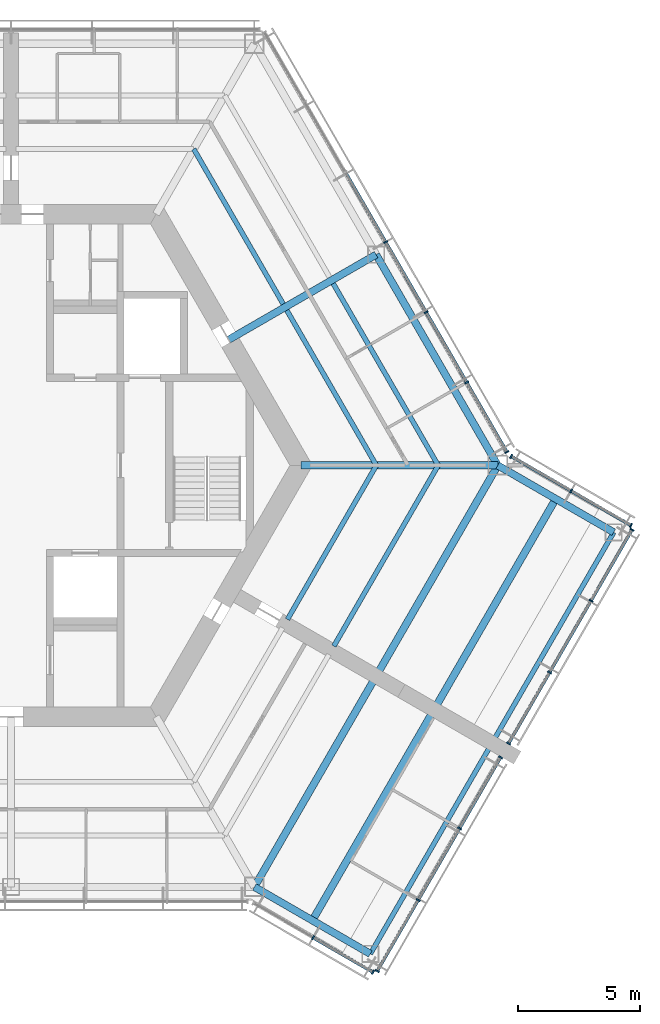
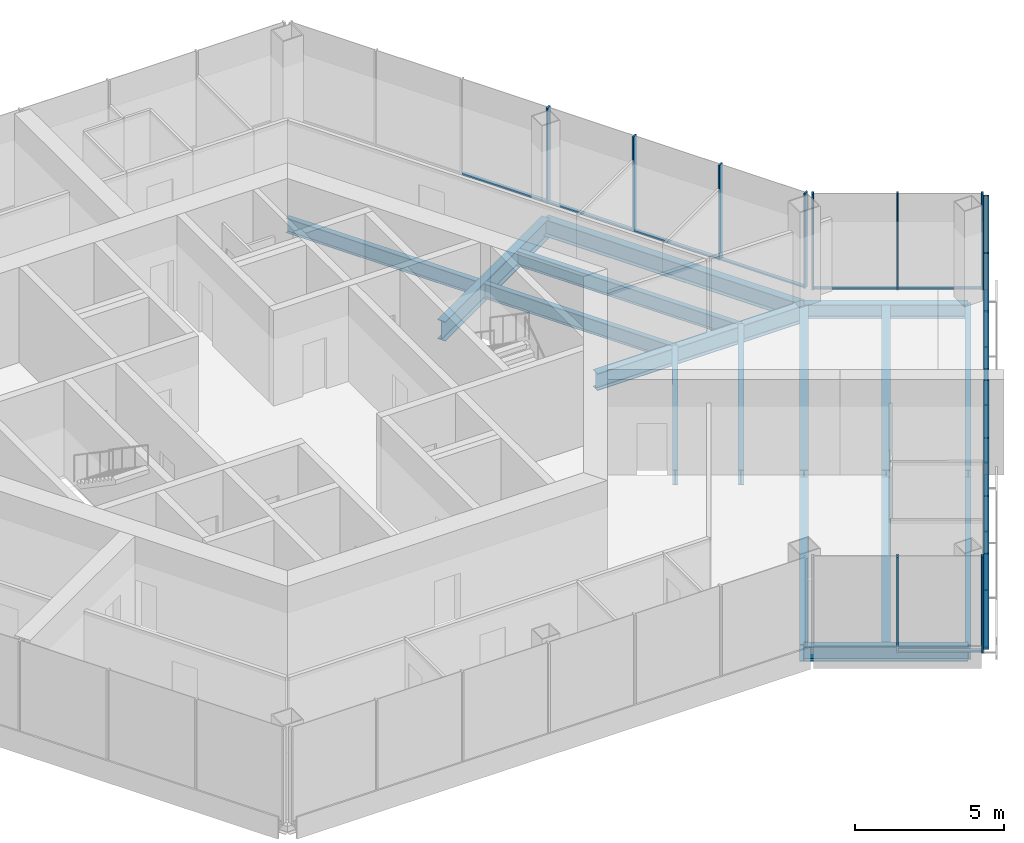
# One storey, part 4 of 13: 30 members, 16 beams, 5 elements without a shape of their own.
"""IFC4 building model written with IfcOpenShell, lengths in metres."""

from ifc_helpers import new_model, si_unit, direction, frame, origin, origin_2d, place, context, subcontext, project, spatial, rectangle, i_section, extrude, material, material_profile, profile_set, type_object, element, aggregate, save


model = new_model("IFC4")

# Units and contexts
model_context = context("Model", 3, precision=1e-05, world=origin(), true_north=direction((0.0, 1.0)))
body_context = subcontext(model_context, "Body", "Model", "MODEL_VIEW")
ifc_project = project(units=[si_unit("LENGTHUNIT", "METRE"), si_unit("AREAUNIT", "SQUARE_METRE"), si_unit("VOLUMEUNIT", "CUBIC_METRE"), si_unit("PLANEANGLEUNIT", "RADIAN"), si_unit("MASSUNIT", "GRAM", prefix="KILO")], contexts=[model_context])

# Site, building, storey
site_placement = place(None, origin())
site = spatial("IfcSite", under=ifc_project, at=site_placement, CompositionType="ELEMENT")
building_placement = place(site_placement, origin())
building = spatial("IfcBuilding", under=site, at=building_placement, Name="Kasaneha Research Tower", CompositionType="ELEMENT")
storey_placement = place(building_placement, frame((0.0, 0.0, 283.0)))
storey = spatial("IfcBuildingStorey", under=building, at=storey_placement, Name="L71", CompositionType="ELEMENT", Elevation=283.0)

# Beams
ifc_material_1 = material(Name="Steel SN490B", Category="steel")
ifc_material_profile_1 = material_profile(ifc_material_1, i_section(OverallWidth=0.199951171875, OverallDepth=0.60009765625, WebThickness=0.010986328125, FlangeThickness=0.01708984375, FilletRadius=0.012939453125, at=origin_2d()), Name="H-600x200x11x17")
ifc_profile_set_1 = profile_set([ifc_material_profile_1], Name="Steel SN490B")
beam_type_1 = type_object("IfcBeamType", Name="B1-3 secondary beam H-600x200x11x17", PredefinedType="JOIST", material=ifc_profile_set_1)
beam_1_placement = place(storey_placement, frame((15.010986328125, 0.0, -0.449951171875), z_axis=(-0.499994443168, 0.866028611999, 0.0), x_axis=(-0.866028611999, -0.499994443168, 0.0)))
element("IfcBeam", 1, at=beam_1_placement, inside=storey, type_object=beam_type_1, Name="Secondary beam RS030L1 L71", PredefinedType="JOIST", context=body_context, shape_type="SweptSolid", body=[
    extrude(i_section(OverallWidth=0.199951171875, OverallDepth=0.60009765625, WebThickness=0.010986328125, FlangeThickness=0.01708984375, FilletRadius=0.012939453125, at=origin_2d()), origin(), (0.0, 0.0, 1.0), 7.35546875),
])
beam_2_placement = place(storey_placement, frame((17.551513671875, 0.0, -0.449951171875), z_axis=(-0.5000050195, 0.866022505755, 0.0), x_axis=(-0.866022505755, -0.5000050195, 0.0)))
element("IfcBeam", 2, at=beam_2_placement, inside=storey, type_object=beam_type_1, Name="Secondary beam RS030L2 L71", PredefinedType="JOIST", context=body_context, shape_type="SweptSolid", body=[
    extrude(i_section(OverallWidth=0.199951171875, OverallDepth=0.60009765625, WebThickness=0.010986328125, FlangeThickness=0.01708984375, FilletRadius=0.012939453125, at=origin_2d()), origin(), (0.0, 0.0, 1.0), 8.6259765625),
])
beam_3_placement = place(storey_placement, frame((7.505615234375, 13.0, -0.449951171875), z_axis=(0.499994443168, -0.866028611999, 0.0), x_axis=(0.866028611999, 0.499994443168, 0.0)))
element("IfcBeam", 3, at=beam_3_placement, inside=storey, type_object=beam_type_1, Name="Secondary beam RS030R1 L71", PredefinedType="JOIST", context=body_context, shape_type="SweptSolid", body=[
    extrude(i_section(OverallWidth=0.199951171875, OverallDepth=0.60009765625, WebThickness=0.010986328125, FlangeThickness=0.01708984375, FilletRadius=0.012939453125, at=origin_2d()), origin(), (0.0, 0.0, 1.0), 7.35546875),
])
beam_4_placement = place(storey_placement, frame((15.010986328125, 0.0, -0.449951171875), z_axis=(-0.499974128195, -0.866040340363, 0.0), x_axis=(0.866040340363, -0.499974128195, 0.0)))
element("IfcBeam", 4, at=beam_4_placement, inside=storey, type_object=beam_type_1, Name="Secondary beam RS330R1 L71", PredefinedType="JOIST", context=body_context, shape_type="SweptSolid", body=[
    extrude(i_section(OverallWidth=0.199951171875, OverallDepth=0.60009765625, WebThickness=0.010986328125, FlangeThickness=0.01708984375, FilletRadius=0.012939453125, at=origin_2d()), origin(), (0.0, 0.0, 1.0), 7.3056640625),
])
beam_5_placement = place(storey_placement, frame((17.551513671875, 0.0, -0.449951171875), z_axis=(-0.500000102728, -0.866025344474, 0.0), x_axis=(0.866025344474, -0.500000102728, 0.0)))
element("IfcBeam", 5, at=beam_5_placement, inside=storey, type_object=beam_type_1, Name="Secondary beam RS330R2 L71", PredefinedType="JOIST", context=body_context, shape_type="SweptSolid", body=[
    extrude(i_section(OverallWidth=0.199951171875, OverallDepth=0.60009765625, WebThickness=0.010986328125, FlangeThickness=0.01708984375, FilletRadius=0.012939453125, at=origin_2d()), origin(), (0.0, 0.0, 1.0), 8.57568359375),
])
ifc_material_2 = material(Name="Steel SN490B", Category="steel")
ifc_material_profile_2 = material_profile(ifc_material_2, i_section(OverallWidth=0.300048828125, OverallDepth=0.58203125, WebThickness=0.011962890625, FlangeThickness=0.01708984375, FilletRadius=0.012939453125, at=origin_2d()), Name="H-582x300x12x17")
ifc_profile_set_2 = profile_set([ifc_material_profile_2], Name="Steel SN490B")
beam_type_2 = type_object("IfcBeamType", Name="B2-3 secondary beam H-582x300x12x17", PredefinedType="JOIST", material=ifc_profile_set_2)
for number, where, z_axis, x_axis, name in (
    (6, (12.381591796875, -18.695556640625, -0.44091796875), (0.49999201416, 0.866030014362, 0.0), (-0.866030014362, 0.49999201416, 0.0), "Secondary beam WBCP1 L71"),
    (7, (22.381591796875, -1.375, -0.44091796875), (-0.49999201416, -0.866030014362, 0.0), (0.866030014362, -0.49999201416, 0.0), "Secondary beam WBCN1 L71"),
):
    element("IfcBeam", number, at=place(storey_placement, frame(where, z_axis=z_axis, x_axis=x_axis)), inside=storey, type_object=beam_type_2, Name=name, PredefinedType="JOIST", context=body_context, shape_type="SweptSolid", body=[
        extrude(i_section(OverallWidth=0.300048828125, OverallDepth=0.58203125, WebThickness=0.011962890625, FlangeThickness=0.01708984375, FilletRadius=0.012939453125, at=origin_2d()), origin(), (0.0, 0.0, 1.0), 9.800048828125),
    ])

# Curtain wall, members
ifc_material_3 = material(Name="Glass and aluminium", Category="aluminium")
curtain_wall_type = type_object("IfcCurtainWallType", Name="Crown curtain wall", PredefinedType="USERDEFINED", material=ifc_material_3)
curtain_wall_1_placement = place(storey_placement, origin())
curtain_wall_1 = element("IfcCurtainWall", 8, at=curtain_wall_1_placement, inside=storey, type_object=curtain_wall_type, Name="CW-C L71 run 01a", ObjectType="UNITISED CURTAIN WALL", PredefinedType="USERDEFINED")
ifc_material_4 = material(Name="Aluminium 6063-T6", Category="aluminium")
ifc_material_profile_3 = material_profile(ifc_material_4, rectangle(XDim=0.06005859375, YDim=0.179931640625, at=origin_2d()), Name="CW-C mullion 60x180")
ifc_profile_set_3 = profile_set([ifc_material_profile_3], Name="Aluminium 6063-T6")
member_type_1 = type_object("IfcMemberType", Name="CW-C mullion", PredefinedType="MULLION", material=ifc_profile_set_3)
member_1_placement = place(storey_placement, frame((20.374267578125, 0.5517578125, 0.0), z_axis=(0.0, 0.0, 1.0), x_axis=(-0.499999979232, 0.866025415775, 0.0)))
member_1 = element("IfcMember", 9, at=member_1_placement, type_object=member_type_1, Name="CW-C mullion 1", PredefinedType="MULLION", context=body_context, shape_type="SweptSolid", body=[
    extrude(rectangle(XDim=0.06005859375, YDim=0.179931640625, at=origin_2d()), origin(), (0.0, 0.0, 1.0), 3.89990234375),
])
member_2_placement = place(storey_placement, frame((18.723876953125, 3.410400390625, 0.0), z_axis=(0.0, 0.0, 1.0), x_axis=(-0.499999979232, 0.866025415775, 0.0)))
member_2 = element("IfcMember", 10, at=member_2_placement, type_object=member_type_1, Name="CW-C mullion 2", PredefinedType="MULLION", context=body_context, shape_type="SweptSolid", body=[
    extrude(rectangle(XDim=0.06005859375, YDim=0.179931640625, at=origin_2d()), origin(), (0.0, 0.0, 1.0), 3.89990234375),
])
member_3_placement = place(storey_placement, frame((17.058349609375, 6.295166015625, 0.0), z_axis=(0.0, 0.0, 1.0), x_axis=(-0.499999979232, 0.866025415775, 0.0)))
member_3 = element("IfcMember", 11, at=member_3_placement, type_object=member_type_1, Name="CW-C mullion 3", PredefinedType="MULLION", context=body_context, shape_type="SweptSolid", body=[
    extrude(rectangle(XDim=0.06005859375, YDim=0.179931640625, at=origin_2d()), origin(), (0.0, 0.0, 1.0), 3.89990234375),
])
member_4_placement = place(storey_placement, frame((15.392822265625, 9.179931640625, 0.0), z_axis=(0.0, 0.0, 1.0), x_axis=(-0.499999979232, 0.866025415775, 0.0)))
member_4 = element("IfcMember", 12, at=member_4_placement, type_object=member_type_1, Name="CW-C mullion 4", PredefinedType="MULLION", context=body_context, shape_type="SweptSolid", body=[
    extrude(rectangle(XDim=0.06005859375, YDim=0.179931640625, at=origin_2d()), origin(), (0.0, 0.0, 1.0), 3.89990234375),
])

curtain_wall_2_placement = place(storey_placement, origin())
curtain_wall_2 = element("IfcCurtainWall", 13, at=curtain_wall_2_placement, inside=storey, type_object=curtain_wall_type, Name="CW-C L71 run 06a", ObjectType="UNITISED CURTAIN WALL", PredefinedType="USERDEFINED")
member_5_placement = place(storey_placement, frame((12.410888671875, -19.4052734375, 0.0), z_axis=(0.0, 0.0, 1.0), x_axis=(0.866025443395, -0.499999931393, 0.0)))
member_5 = element("IfcMember", 14, at=member_5_placement, type_object=member_type_1, Name="CW-C mullion 2", PredefinedType="MULLION", context=body_context, shape_type="SweptSolid", body=[
    extrude(rectangle(XDim=0.06005859375, YDim=0.179931640625, at=origin_2d()), origin(), (0.0, 0.0, 1.0), 3.89990234375),
])
member_6_placement = place(storey_placement, frame((14.8701171875, -20.8251953125, 0.0), z_axis=(0.0, 0.0, 1.0), x_axis=(0.866025443395, -0.499999931393, 0.0)))
member_6 = element("IfcMember", 15, at=member_6_placement, type_object=member_type_1, Name="CW-C mullion 3", PredefinedType="MULLION", context=body_context, shape_type="SweptSolid", body=[
    extrude(rectangle(XDim=0.06005859375, YDim=0.179931640625, at=origin_2d()), origin(), (0.0, 0.0, 1.0), 3.89990234375),
])

curtain_wall_3_placement = place(storey_placement, origin())
curtain_wall_3 = element("IfcCurtainWall", 16, at=curtain_wall_3_placement, inside=storey, type_object=curtain_wall_type, Name="CW-C L71 run 07a", ObjectType="UNITISED CURTAIN WALL", PredefinedType="USERDEFINED")
member_7_placement = place(storey_placement, frame((15.0478515625, -20.777587890625, 0.0), z_axis=(0.0, 0.0, 1.0), x_axis=(0.500000011442, 0.866025397178, 0.0)))
member_7 = element("IfcMember", 17, at=member_7_placement, type_object=member_type_1, Name="CW-C mullion 1", PredefinedType="MULLION", context=body_context, shape_type="SweptSolid", body=[
    extrude(rectangle(XDim=0.06005859375, YDim=0.179931640625, at=origin_2d()), origin(), (0.0, 0.0, 1.0), 3.89990234375),
])
member_8_placement = place(storey_placement, frame((16.732666015625, -17.859130859375, 0.0), z_axis=(0.0, 0.0, 1.0), x_axis=(0.500000011442, 0.866025397178, 0.0)))
member_8 = element("IfcMember", 18, at=member_8_placement, type_object=member_type_1, Name="CW-C mullion 2", PredefinedType="MULLION", context=body_context, shape_type="SweptSolid", body=[
    extrude(rectangle(XDim=0.06005859375, YDim=0.179931640625, at=origin_2d()), origin(), (0.0, 0.0, 1.0), 3.89990234375),
])
member_9_placement = place(storey_placement, frame((18.432861328125, -14.91455078125, 0.0), z_axis=(0.0, 0.0, 1.0), x_axis=(0.500000011442, 0.866025397178, 0.0)))
member_9 = element("IfcMember", 19, at=member_9_placement, type_object=member_type_1, Name="CW-C mullion 3", PredefinedType="MULLION", context=body_context, shape_type="SweptSolid", body=[
    extrude(rectangle(XDim=0.06005859375, YDim=0.179931640625, at=origin_2d()), origin(), (0.0, 0.0, 1.0), 3.89990234375),
])
member_10_placement = place(storey_placement, frame((20.11767578125, -11.99609375, 0.0), z_axis=(0.0, 0.0, 1.0), x_axis=(0.500000011442, 0.866025397178, 0.0)))
member_10 = element("IfcMember", 20, at=member_10_placement, type_object=member_type_1, Name="CW-C mullion 4", PredefinedType="MULLION", context=body_context, shape_type="SweptSolid", body=[
    extrude(rectangle(XDim=0.06005859375, YDim=0.179931640625, at=origin_2d()), origin(), (0.0, 0.0, 1.0), 3.89990234375),
])

curtain_wall_4_placement = place(storey_placement, origin())
curtain_wall_4 = element("IfcCurtainWall", 21, at=curtain_wall_4_placement, inside=storey, type_object=curtain_wall_type, Name="CW-C L71 run 08a", ObjectType="UNITISED CURTAIN WALL", PredefinedType="USERDEFINED")
member_11_placement = place(storey_placement, frame((20.44775390625, -11.424560546875, 0.0), z_axis=(0.0, 0.0, 1.0), x_axis=(0.500000011442, 0.866025397178, 0.0)))
member_11 = element("IfcMember", 22, at=member_11_placement, type_object=member_type_1, Name="CW-C mullion 1", PredefinedType="MULLION", context=body_context, shape_type="SweptSolid", body=[
    extrude(rectangle(XDim=0.06005859375, YDim=0.179931640625, at=origin_2d()), origin(), (0.0, 0.0, 1.0), 3.89990234375),
])
member_12_placement = place(storey_placement, frame((22.1328125, -8.505859375, 0.0), z_axis=(0.0, 0.0, 1.0), x_axis=(0.500000011442, 0.866025397178, 0.0)))
member_12 = element("IfcMember", 23, at=member_12_placement, type_object=member_type_1, Name="CW-C mullion 2", PredefinedType="MULLION", context=body_context, shape_type="SweptSolid", body=[
    extrude(rectangle(XDim=0.06005859375, YDim=0.179931640625, at=origin_2d()), origin(), (0.0, 0.0, 1.0), 3.89990234375),
])
member_13_placement = place(storey_placement, frame((23.832763671875, -5.5615234375, 0.0), z_axis=(0.0, 0.0, 1.0), x_axis=(0.500000011442, 0.866025397178, 0.0)))
member_13 = element("IfcMember", 24, at=member_13_placement, type_object=member_type_1, Name="CW-C mullion 3", PredefinedType="MULLION", context=body_context, shape_type="SweptSolid", body=[
    extrude(rectangle(XDim=0.06005859375, YDim=0.179931640625, at=origin_2d()), origin(), (0.0, 0.0, 1.0), 3.89990234375),
])
member_14_placement = place(storey_placement, frame((25.517822265625, -2.64306640625, 0.0), z_axis=(0.0, 0.0, 1.0), x_axis=(0.500000011442, 0.866025397178, 0.0)))
member_14 = element("IfcMember", 25, at=member_14_placement, type_object=member_type_1, Name="CW-C mullion 4", PredefinedType="MULLION", context=body_context, shape_type="SweptSolid", body=[
    extrude(rectangle(XDim=0.06005859375, YDim=0.179931640625, at=origin_2d()), origin(), (0.0, 0.0, 1.0), 3.89990234375),
])

curtain_wall_5_placement = place(storey_placement, origin())
curtain_wall_5 = element("IfcCurtainWall", 26, at=curtain_wall_5_placement, inside=storey, type_object=curtain_wall_type, Name="CW-C L71 run 09a", ObjectType="UNITISED CURTAIN WALL", PredefinedType="USERDEFINED")
member_15_placement = place(storey_placement, frame((25.47021484375, -2.46533203125, 0.0), z_axis=(0.0, 0.0, 1.0), x_axis=(-0.866025443395, 0.499999931393, 0.0)))
member_15 = element("IfcMember", 27, at=member_15_placement, type_object=member_type_1, Name="CW-C mullion 1", PredefinedType="MULLION", context=body_context, shape_type="SweptSolid", body=[
    extrude(rectangle(XDim=0.06005859375, YDim=0.179931640625, at=origin_2d()), origin(), (0.0, 0.0, 1.0), 3.89990234375),
])
member_16_placement = place(storey_placement, frame((23.010986328125, -1.045654296875, 0.0), z_axis=(0.0, 0.0, 1.0), x_axis=(-0.866025443395, 0.499999931393, 0.0)))
member_16 = element("IfcMember", 28, at=member_16_placement, type_object=member_type_1, Name="CW-C mullion 2", PredefinedType="MULLION", context=body_context, shape_type="SweptSolid", body=[
    extrude(rectangle(XDim=0.06005859375, YDim=0.179931640625, at=origin_2d()), origin(), (0.0, 0.0, 1.0), 3.89990234375),
])
member_17_placement = place(storey_placement, frame((20.5517578125, 0.374267578125, 0.0), z_axis=(0.0, 0.0, 1.0), x_axis=(-0.866025443395, 0.499999931393, 0.0)))
member_17 = element("IfcMember", 29, at=member_17_placement, type_object=member_type_1, Name="CW-C mullion 3", PredefinedType="MULLION", context=body_context, shape_type="SweptSolid", body=[
    extrude(rectangle(XDim=0.06005859375, YDim=0.179931640625, at=origin_2d()), origin(), (0.0, 0.0, 1.0), 3.89990234375),
])

# Member
ifc_material_5 = material(Name="Aluminium 6063-T6", Category="aluminium")
ifc_material_profile_4 = material_profile(ifc_material_5, rectangle(XDim=0.1298828125, YDim=0.06005859375, at=origin_2d()), Name="CW-C transom 130x60")
ifc_profile_set_4 = profile_set([ifc_material_profile_4], Name="Aluminium 6063-T6")
member_type_2 = type_object("IfcMemberType", Name="CW-C transom", PredefinedType="USERDEFINED", material=ifc_profile_set_4)
member_18_placement = place(storey_placement, frame((20.359130859375, 0.577880859375, 0.030029296875), z_axis=(-0.499987643696, 0.866032537582, 0.0), x_axis=(-0.866032537582, -0.499987643696, 0.0)))
member_18 = element("IfcMember", 30, at=member_18_placement, type_object=member_type_2, Name="CW-C transom 1", ObjectType="TRANSOM", PredefinedType="USERDEFINED", context=body_context, shape_type="SweptSolid", body=[
    extrude(rectangle(XDim=0.1298828125, YDim=0.06005859375, at=origin_2d()), origin(), (0.0, 0.0, 1.0), 3.24072265625),
])

member_19_placement = place(storey_placement, frame((18.708740234375, 3.4365234375, 0.030029296875), z_axis=(-0.500000270186, 0.866025247793, 0.0), x_axis=(-0.866025247793, -0.500000270186, 0.0)))
member_19 = element("IfcMember", 31, at=member_19_placement, type_object=member_type_2, Name="CW-C transom 2", ObjectType="TRANSOM", PredefinedType="USERDEFINED", context=body_context, shape_type="SweptSolid", body=[
    extrude(rectangle(XDim=0.1298828125, YDim=0.06005859375, at=origin_2d()), origin(), (0.0, 0.0, 1.0), 3.27099609375),
])

member_20_placement = place(storey_placement, frame((17.043212890625, 6.3212890625, 0.030029296875), z_axis=(-0.50003259116, 0.866006586452, 0.0), x_axis=(-0.866006586452, -0.50003259116, 0.0)))
member_20 = element("IfcMember", 32, at=member_20_placement, type_object=member_type_2, Name="CW-C transom 3", ObjectType="TRANSOM", PredefinedType="USERDEFINED", context=body_context, shape_type="SweptSolid", body=[
    extrude(rectangle(XDim=0.1298828125, YDim=0.06005859375, at=origin_2d()), origin(), (0.0, 0.0, 1.0), 3.270751953125),
])

member_21_placement = place(storey_placement, frame((15.3779296875, 9.205810546875, 0.030029296875), z_axis=(-0.500000270186, 0.866025247793, 0.0), x_axis=(-0.866025247793, -0.500000270186, 0.0)))
member_21 = element("IfcMember", 33, at=member_21_placement, type_object=member_type_2, Name="CW-C transom 4", ObjectType="TRANSOM", PredefinedType="USERDEFINED", context=body_context, shape_type="SweptSolid", body=[
    extrude(rectangle(XDim=0.1298828125, YDim=0.06005859375, at=origin_2d()), origin(), (0.0, 0.0, 1.0), 3.27099609375),
])

aggregate(curtain_wall_1, [member_1, member_2, member_3, member_4, member_18, member_19, member_20, member_21])

member_22_placement = place(storey_placement, frame((12.43701171875, -19.42041015625, 0.030029296875), z_axis=(0.866051024128, -0.499955621637, 0.0), x_axis=(0.499955621637, 0.866051024128, 0.0)))
member_22 = element("IfcMember", 34, at=member_22_placement, type_object=member_type_2, Name="CW-C transom 2", ObjectType="TRANSOM", PredefinedType="USERDEFINED", context=body_context, shape_type="SweptSolid", body=[
    extrude(rectangle(XDim=0.1298828125, YDim=0.06005859375, at=origin_2d()), origin(), (0.0, 0.0, 1.0), 2.779541015625),
])

aggregate(curtain_wall_2, [member_5, member_6, member_22])

member_23_placement = place(storey_placement, frame((15.062744140625, -20.75146484375, 0.030029296875), z_axis=(0.500018282537, 0.866014848099, 0.0), x_axis=(-0.866014848099, 0.500018282537, 0.0)))
member_23 = element("IfcMember", 35, at=member_23_placement, type_object=member_type_2, Name="CW-C transom 1", ObjectType="TRANSOM", PredefinedType="USERDEFINED", context=body_context, shape_type="SweptSolid", body=[
    extrude(rectangle(XDim=0.1298828125, YDim=0.06005859375, at=origin_2d()), origin(), (0.0, 0.0, 1.0), 3.31005859375),
])

member_24_placement = place(storey_placement, frame((16.747802734375, -17.8330078125, 0.030029296875), z_axis=(0.499975549825, 0.866039519639, 0.0), x_axis=(-0.866039519639, 0.499975549825, 0.0)))
member_24 = element("IfcMember", 36, at=member_24_placement, type_object=member_type_2, Name="CW-C transom 2", ObjectType="TRANSOM", PredefinedType="USERDEFINED", context=body_context, shape_type="SweptSolid", body=[
    extrude(rectangle(XDim=0.1298828125, YDim=0.06005859375, at=origin_2d()), origin(), (0.0, 0.0, 1.0), 3.340087890625),
])

member_25_placement = place(storey_placement, frame((18.44775390625, -14.888671875, 0.030029296875), z_axis=(0.49998634449, 0.866033287653, 0.0), x_axis=(-0.866033287653, 0.49998634449, 0.0)))
member_25 = element("IfcMember", 37, at=member_25_placement, type_object=member_type_2, Name="CW-C transom 3", ObjectType="TRANSOM", PredefinedType="USERDEFINED", context=body_context, shape_type="SweptSolid", body=[
    extrude(rectangle(XDim=0.1298828125, YDim=0.06005859375, at=origin_2d()), origin(), (0.0, 0.0, 1.0), 3.31005859375),
])

aggregate(curtain_wall_3, [member_7, member_8, member_9, member_10, member_23, member_24, member_25])

member_26_placement = place(storey_placement, frame((20.462646484375, -11.3984375, 0.030029296875), z_axis=(0.500018282537, 0.866014848099, 0.0), x_axis=(-0.866014848099, 0.500018282537, 0.0)))
member_26 = element("IfcMember", 38, at=member_26_placement, type_object=member_type_2, Name="CW-C transom 1", ObjectType="TRANSOM", PredefinedType="USERDEFINED", context=body_context, shape_type="SweptSolid", body=[
    extrude(rectangle(XDim=0.1298828125, YDim=0.06005859375, at=origin_2d()), origin(), (0.0, 0.0, 1.0), 3.31005859375),
])

member_27_placement = place(storey_placement, frame((22.147705078125, -8.47998046875, 0.030029296875), z_axis=(0.500030370488, 0.866007868665, 0.0), x_axis=(-0.866007868665, 0.500030370488, 0.0)))
member_27 = element("IfcMember", 39, at=member_27_placement, type_object=member_type_2, Name="CW-C transom 2", ObjectType="TRANSOM", PredefinedType="USERDEFINED", context=body_context, shape_type="SweptSolid", body=[
    extrude(rectangle(XDim=0.1298828125, YDim=0.06005859375, at=origin_2d()), origin(), (0.0, 0.0, 1.0), 3.340087890625),
])

member_28_placement = place(storey_placement, frame((23.84765625, -5.535400390625, 0.030029296875), z_axis=(0.500018282537, 0.866014848099, 0.0), x_axis=(-0.866014848099, 0.500018282537, 0.0)))
member_28 = element("IfcMember", 40, at=member_28_placement, type_object=member_type_2, Name="CW-C transom 3", ObjectType="TRANSOM", PredefinedType="USERDEFINED", context=body_context, shape_type="SweptSolid", body=[
    extrude(rectangle(XDim=0.1298828125, YDim=0.06005859375, at=origin_2d()), origin(), (0.0, 0.0, 1.0), 3.31005859375),
])

aggregate(curtain_wall_4, [member_11, member_12, member_13, member_14, member_26, member_27, member_28])

member_29_placement = place(storey_placement, frame((25.444091796875, -2.450439453125, 0.030029296875), z_axis=(-0.866012991964, 0.500021497287, 0.0), x_axis=(-0.500021497287, -0.866012991964, 0.0)))
member_29 = element("IfcMember", 41, at=member_29_placement, type_object=member_type_2, Name="CW-C transom 1", ObjectType="TRANSOM", PredefinedType="USERDEFINED", context=body_context, shape_type="SweptSolid", body=[
    extrude(rectangle(XDim=0.1298828125, YDim=0.06005859375, at=origin_2d()), origin(), (0.0, 0.0, 1.0), 2.77978515625),
])

member_30_placement = place(storey_placement, frame((22.985107421875, -1.030517578125, 0.030029296875), z_axis=(-0.866051024128, 0.499955621637, 0.0), x_axis=(-0.499955621637, -0.866051024128, 0.0)))
member_30 = element("IfcMember", 42, at=member_30_placement, type_object=member_type_2, Name="CW-C transom 2", ObjectType="TRANSOM", PredefinedType="USERDEFINED", context=body_context, shape_type="SweptSolid", body=[
    extrude(rectangle(XDim=0.1298828125, YDim=0.06005859375, at=origin_2d()), origin(), (0.0, 0.0, 1.0), 2.779541015625),
])

aggregate(curtain_wall_5, [member_15, member_16, member_17, member_29, member_30])

# Beams
ifc_material_6 = material(Name="Steel SN490B", Category="steel")
ifc_material_profile_5 = material_profile(ifc_material_6, i_section(OverallWidth=0.300048828125, OverallDepth=0.699951171875, WebThickness=0.012939453125, FlangeThickness=0.02392578125, FilletRadius=0.01806640625, at=origin_2d()), Name="H-700x300x13x24")
ifc_profile_set_5 = profile_set([ifc_material_profile_5], Name="Steel SN490B")
beam_type_3 = type_object("IfcBeamType", Name="G1-3 radial girder H-700x300x13x24", PredefinedType="BEAM", material=ifc_profile_set_5)
beam_6_placement = place(storey_placement, frame((11.92236328125, 0.0, -0.5), z_axis=(1.0, 0.0, 0.0), x_axis=(0.0, 1.0, 0.0)))
element("IfcBeam", 43, at=beam_6_placement, inside=storey, type_object=beam_type_3, Name="Radial girder RV000 L71", PredefinedType="BEAM", context=body_context, shape_type="SweptSolid", body=[
    extrude(i_section(OverallWidth=0.300048828125, OverallDepth=0.699951171875, WebThickness=0.012939453125, FlangeThickness=0.02392578125, FilletRadius=0.01806640625, at=origin_2d()), origin(), (0.0, 0.0, 1.0), 8.07763671875),
])
ifc_material_7 = material(Name="Steel SN490B", Category="steel")
ifc_material_profile_6 = material_profile(ifc_material_7, i_section(OverallWidth=0.300048828125, OverallDepth=0.800048828125, WebThickness=0.013916015625, FlangeThickness=0.02587890625, FilletRadius=0.01806640625, at=origin_2d()), Name="H-800x300x14x26")
ifc_profile_set_6 = profile_set([ifc_material_profile_6], Name="Steel SN490B")
beam_type_4 = type_object("IfcBeamType", Name="G2-3 radial girder H-800x300x14x26", PredefinedType="BEAM", material=ifc_profile_set_6)
beam_7_placement = place(storey_placement, frame((8.941650390625, 5.16259765625, -0.550048828125), z_axis=(0.866039713508, 0.499975214012, 0.0), x_axis=(-0.499975214012, 0.866039713508, 0.0)))
element("IfcBeam", 44, at=beam_7_placement, inside=storey, type_object=beam_type_4, Name="Radial girder RM030 L71", PredefinedType="BEAM", context=body_context, shape_type="SweptSolid", body=[
    extrude(i_section(OverallWidth=0.300048828125, OverallDepth=0.800048828125, WebThickness=0.013916015625, FlangeThickness=0.02587890625, FilletRadius=0.01806640625, at=origin_2d()), origin(), (0.0, 0.0, 1.0), 6.995361328125),
])
ifc_material_8 = material(Name="Steel SN490B", Category="steel")
ifc_material_profile_7 = material_profile(ifc_material_8, i_section(OverallWidth=0.300048828125, OverallDepth=0.69189453125, WebThickness=0.012939453125, FlangeThickness=0.02001953125, FilletRadius=0.01806640625, at=origin_2d()), Name="H-692x300x13x20")
ifc_profile_set_7 = profile_set([ifc_material_profile_7], Name="Steel SN490B")
beam_type_5 = type_object("IfcBeamType", Name="G3-3 plate edge girder H-692x300x13x20", PredefinedType="BEAM", material=ifc_profile_set_7)
for number, where, z_axis, x_axis, name in (
    (45, (10.0, -17.320556640625, -0.49609375), (0.49999201416, 0.866030014362, 0.0), (-0.866030014362, 0.49999201416, 0.0), "Plate edge girder PECP L71"),
    (46, (20.0, 0.0, -0.49609375), (-0.49999201416, -0.866030014362, 0.0), (0.866030014362, -0.49999201416, 0.0), "Plate edge girder PECN L71"),
):
    element("IfcBeam", number, at=place(storey_placement, frame(where, z_axis=z_axis, x_axis=x_axis)), inside=storey, type_object=beam_type_5, Name=name, PredefinedType="BEAM", context=body_context, shape_type="SweptSolid", body=[
        extrude(i_section(OverallWidth=0.300048828125, OverallDepth=0.69189453125, WebThickness=0.012939453125, FlangeThickness=0.02001953125, FilletRadius=0.01806640625, at=origin_2d()), origin(), (0.0, 0.0, 1.0), 9.800048828125),
    ])
ifc_material_9 = material(Name="Steel SN490B", Category="steel")
ifc_material_profile_8 = material_profile(ifc_material_9, i_section(OverallWidth=0.300048828125, OverallDepth=0.69189453125, WebThickness=0.012939453125, FlangeThickness=0.02001953125, FilletRadius=0.01806640625, at=origin_2d()), Name="H-692x300x13x20")
ifc_profile_set_8 = profile_set([ifc_material_profile_8], Name="Steel SN490B")
beam_type_6 = type_object("IfcBeamType", Name="SB1-3 spandrel beam H-692x300x13x20", PredefinedType="SPANDREL", material=ifc_profile_set_8)
beam_8_placement = place(storey_placement, frame((20.0, 0.0, -0.49609375), z_axis=(-0.500004234368, 0.866022959057, 0.0), x_axis=(-0.866022959057, -0.500004234368, 0.0)))
element("IfcBeam", 47, at=beam_8_placement, inside=storey, type_object=beam_type_6, Name="Spandrel beam SR030L L71", PredefinedType="SPANDREL", context=body_context, shape_type="SweptSolid", body=[
    extrude(i_section(OverallWidth=0.300048828125, OverallDepth=0.69189453125, WebThickness=0.012939453125, FlangeThickness=0.02001953125, FilletRadius=0.01806640625, at=origin_2d()), origin(), (0.0, 0.0, 1.0), 10.0),
])
ifc_material_10 = material(Name="Steel SN490B", Category="steel")
ifc_material_profile_9 = material_profile(ifc_material_10, i_section(OverallWidth=0.300048828125, OverallDepth=0.58203125, WebThickness=0.011962890625, FlangeThickness=0.01708984375, FilletRadius=0.012939453125, at=origin_2d()), Name="H-582x300x12x17")
ifc_profile_set_9 = profile_set([ifc_material_profile_9], Name="Steel SN490B")
beam_type_7 = type_object("IfcBeamType", Name="SB2-3 spandrel beam H-582x300x12x17", PredefinedType="SPANDREL", material=ifc_profile_set_9)
for number, where, z_axis, x_axis, name in (
    (48, (10.0, -17.320556640625, -0.44091796875), (0.866027397988, -0.499996545922, 0.0), (0.499996545922, 0.866027397988, 0.0), "Spandrel beam WSCP1 L71"),
    (49, (20.0, 0.0, -0.44091796875), (0.866027397988, -0.499996545922, 0.0), (0.499996545922, 0.866027397988, 0.0), "Spandrel beam WSCN1 L71"),
):
    element("IfcBeam", number, at=place(storey_placement, frame(where, z_axis=z_axis, x_axis=x_axis)), inside=storey, type_object=beam_type_7, Name=name, PredefinedType="SPANDREL", context=body_context, shape_type="SweptSolid", body=[
        extrude(i_section(OverallWidth=0.300048828125, OverallDepth=0.58203125, WebThickness=0.011962890625, FlangeThickness=0.01708984375, FilletRadius=0.012939453125, at=origin_2d()), origin(), (0.0, 0.0, 1.0), 5.5),
    ])
ifc_material_11 = material(Name="Steel SN490B", Category="steel")
ifc_material_profile_10 = material_profile(ifc_material_11, i_section(OverallWidth=0.199951171875, OverallDepth=0.60009765625, WebThickness=0.010986328125, FlangeThickness=0.01708984375, FilletRadius=0.012939453125, at=origin_2d()), Name="H-600x200x11x17")
ifc_profile_set_10 = profile_set([ifc_material_profile_10], Name="Steel SN490B")
beam_type_8 = type_object("IfcBeamType", Name="SB3-3 spandrel beam H-600x200x11x17", PredefinedType="SPANDREL", material=ifc_profile_set_10)
for number, where, z_axis, x_axis, name in (
    (50, (14.76318359375, -20.070556640625, -0.449951171875), (0.49999201416, 0.866030014362, 0.0), (-0.866030014362, 0.49999201416, 0.0), "Spandrel beam WTCP L71"),
    (51, (24.76318359375, -2.75, -0.449951171875), (-0.500010698315, -0.866019227021, 0.0), (0.866019227021, -0.500010698315, 0.0), "Spandrel beam WTCN L71"),
):
    element("IfcBeam", number, at=place(storey_placement, frame(where, z_axis=z_axis, x_axis=x_axis)), inside=storey, type_object=beam_type_8, Name=name, PredefinedType="SPANDREL", context=body_context, shape_type="SweptSolid", body=[
        extrude(i_section(OverallWidth=0.199951171875, OverallDepth=0.60009765625, WebThickness=0.010986328125, FlangeThickness=0.01708984375, FilletRadius=0.012939453125, at=origin_2d()), origin(), (0.0, 0.0, 1.0), 9.800048828125),
    ])

save(model, "model.ifc")
